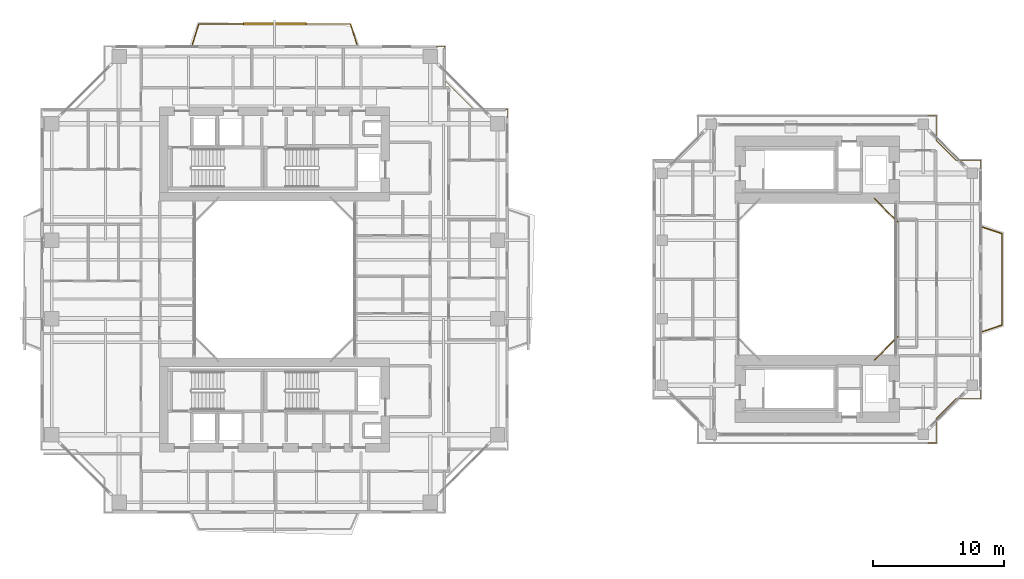
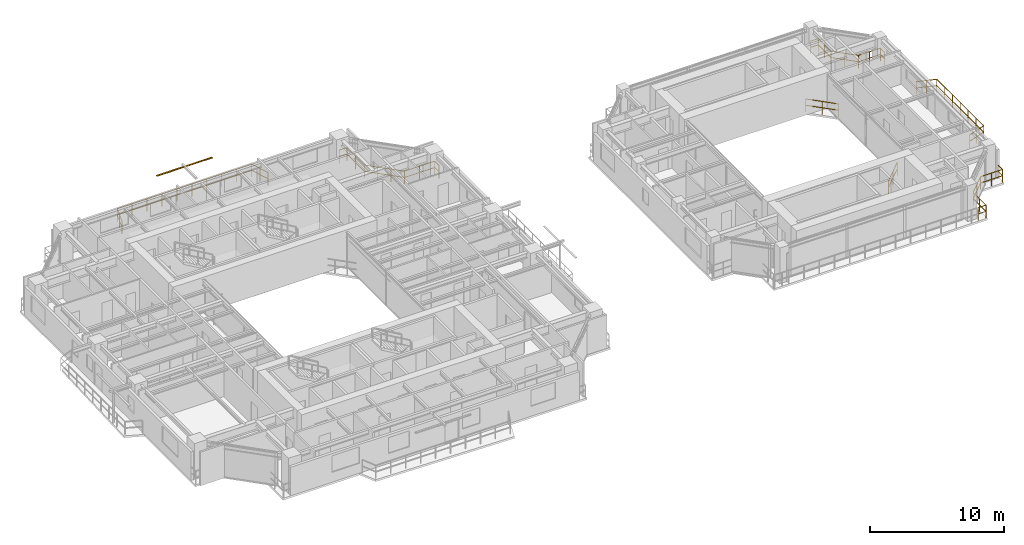
# One storey, part 24 of 24: 7 railings, 1 shading device.
"""IFC4 building model written with IfcOpenShell, lengths in metres."""

from ifc_helpers import new_model, si_unit, direction, frame, origin, origin_2d, place, context, subcontext, project, spatial, rectangle, extrude, source, transform, mapped, material, material_profile, profile_set, type_object, element, save


model = new_model("IFC4")

# Units and contexts
model_context = context("Model", 3, precision=1e-05, world=origin(), true_north=direction((0.0, 1.0)))
body_context = subcontext(model_context, "Body", "Model", "MODEL_VIEW")
ifc_project = project(units=[si_unit("LENGTHUNIT", "METRE"), si_unit("AREAUNIT", "SQUARE_METRE"), si_unit("VOLUMEUNIT", "CUBIC_METRE"), si_unit("PLANEANGLEUNIT", "RADIAN"), si_unit("MASSUNIT", "GRAM", prefix="KILO"), si_unit("THERMODYNAMICTEMPERATUREUNIT", "KELVIN"), si_unit("POWERUNIT", "WATT")], contexts=[model_context])

# Site, building, storey
site_placement = place(None, origin())
site = spatial("IfcSite", under=ifc_project, at=site_placement, CompositionType="ELEMENT")
building_placement = place(site_placement, origin())
building = spatial("IfcBuilding", under=site, at=building_placement, Name="Qiaomeng Ring Towers", CompositionType="ELEMENT")
storey_placement = place(building_placement, frame((0.0, 0.0, 110.0)))
storey = spatial("IfcBuildingStorey", under=building, at=storey_placement, Name="L31", CompositionType="ELEMENT", Elevation=110.0)

# Railings
ifc_material_1 = material(Name="Low-E pale-green laminated safety glass", Category="glass")
railing_type = type_object("IfcRailingType", Name="ARC-RL-BAL1", PredefinedType="BALUSTRADE", material=ifc_material_1)
railing_1_placement = place(storey_placement, frame((36.820068359375, 35.3701171875, 0.0)))
element("IfcRailing", 1, at=railing_1_placement, inside=storey, type_object=railing_type, Name="L31 Balustrade ARC-BAL-NOTCH1-L31-NE", PredefinedType="BALUSTRADE", context=body_context, shape_type="SweptSolid", body=[
    extrude(rectangle(XDim=0.048095703125, YDim=0.048095703125, at=origin_2d()), frame((0.0, 0.0, 1.17578125), z_axis=(0.0, 1.0, 0.0), x_axis=(-1.0, 0.0, 0.0)), (0.0, 0.0, 1.0), 0.64990234375),
    extrude(rectangle(XDim=0.048095703125, YDim=0.048095703125, at=origin_2d()), frame((0.0, 0.0, 0.60009765625), z_axis=(0.0, 1.0, 0.0), x_axis=(-1.0, 0.0, 0.0)), (0.0, 0.0, 1.0), 0.64990234375),
    extrude(rectangle(XDim=0.048095703125, YDim=0.048095703125, at=origin_2d()), frame((0.0, 0.64990234375, 1.17578125), z_axis=(-1.0, 0.0, 0.0), x_axis=(0.0, -1.0, 0.0)), (0.0, 0.0, 1.0), 2.60009765625),
    extrude(rectangle(XDim=0.048095703125, YDim=0.048095703125, at=origin_2d()), frame((0.0, 0.64990234375, 0.60009765625), z_axis=(-1.0, 0.0, 0.0), x_axis=(0.0, -1.0, 0.0)), (0.0, 0.0, 1.0), 2.60009765625),
    extrude(rectangle(XDim=0.048095703125, YDim=0.048095703125, at=origin_2d()), frame((-2.60009765625, 0.64990234375, 1.17578125), z_axis=(-0.707106781187, 0.707106781187, 0.0), x_axis=(-0.707106781187, -0.707106781187, 0.0)), (0.0, 0.0, 1.0), 3.111083984375),
    extrude(rectangle(XDim=0.048095703125, YDim=0.048095703125, at=origin_2d()), frame((-2.60009765625, 0.64990234375, 0.60009765625), z_axis=(-0.707106781187, 0.707106781187, 0.0), x_axis=(-0.707106781187, -0.707106781187, 0.0)), (0.0, 0.0, 1.0), 3.111083984375),
    extrude(rectangle(XDim=0.048095703125, YDim=0.048095703125, at=origin_2d()), frame((-4.800048828125, 2.849853515625, 1.17578125), z_axis=(0.0, 1.0, 0.0), x_axis=(-1.0, 0.0, 0.0)), (0.0, 0.0, 1.0), 2.60009765625),
    extrude(rectangle(XDim=0.048095703125, YDim=0.048095703125, at=origin_2d()), frame((-4.800048828125, 2.849853515625, 0.60009765625), z_axis=(0.0, 1.0, 0.0), x_axis=(-1.0, 0.0, 0.0)), (0.0, 0.0, 1.0), 2.60009765625),
    extrude(rectangle(XDim=0.048095703125, YDim=0.048095703125, at=origin_2d()), frame((-4.800048828125, 5.449951171875, 1.17578125), z_axis=(-1.0, 0.0, 0.0), x_axis=(0.0, -1.0, 0.0)), (0.0, 0.0, 1.0), 0.64990234375),
    extrude(rectangle(XDim=0.048095703125, YDim=0.048095703125, at=origin_2d()), frame((-4.800048828125, 5.449951171875, 0.60009765625), z_axis=(-1.0, 0.0, 0.0), x_axis=(0.0, -1.0, 0.0)), (0.0, 0.0, 1.0), 0.64990234375),
    extrude(rectangle(XDim=0.0419921875, YDim=0.0419921875, at=origin_2d()), origin(), (0.0, 0.0, 1.0), 1.15185546875),
    extrude(rectangle(XDim=0.0419921875, YDim=0.0419921875, at=origin_2d()), frame((0.0, 0.64990234375, 0.0)), (0.0, 0.0, 1.0), 1.15185546875),
    extrude(rectangle(XDim=0.0419921875, YDim=0.0419921875, at=origin_2d()), frame((-1.300048828125, 0.64990234375, 0.0)), (0.0, 0.0, 1.0), 1.15185546875),
    extrude(rectangle(XDim=0.0419921875, YDim=0.0419921875, at=origin_2d()), frame((-2.60009765625, 0.64990234375, 0.0)), (0.0, 0.0, 1.0), 1.15185546875),
    extrude(rectangle(XDim=0.0419921875, YDim=0.0419921875, at=origin_2d()), frame((-3.33349609375, 1.38330078125, 0.0)), (0.0, 0.0, 1.0), 1.15185546875),
    extrude(rectangle(XDim=0.0419921875, YDim=0.0419921875, at=origin_2d()), frame((-4.066650390625, 2.116455078125, 0.0)), (0.0, 0.0, 1.0), 1.15185546875),
    extrude(rectangle(XDim=0.0419921875, YDim=0.0419921875, at=origin_2d()), frame((-4.800048828125, 2.849853515625, 0.0)), (0.0, 0.0, 1.0), 1.15185546875),
    extrude(rectangle(XDim=0.0419921875, YDim=0.0419921875, at=origin_2d()), frame((-4.800048828125, 4.14990234375, 0.0)), (0.0, 0.0, 1.0), 1.15185546875),
    extrude(rectangle(XDim=0.0419921875, YDim=0.0419921875, at=origin_2d()), frame((-4.800048828125, 5.449951171875, 0.0)), (0.0, 0.0, 1.0), 1.15185546875),
    extrude(rectangle(XDim=0.0419921875, YDim=0.0419921875, at=origin_2d()), frame((-5.449951171875, 5.449951171875, 0.0)), (0.0, 0.0, 1.0), 1.15185546875),
])
railing_2_placement = place(storey_placement, frame((12.699951171875, 40.949951171875, 0.0)))
element("IfcRailing", 2, at=railing_2_placement, inside=storey, type_object=railing_type, Name="L31 Balustrade ARC-BAL-L31-T1-N", PredefinedType="BALUSTRADE", context=body_context, shape_type="SweptSolid", body=[
    extrude(rectangle(XDim=0.048095703125, YDim=0.048095703125, at=origin_2d()), frame((0.0, 0.0, 1.17578125), z_axis=(0.299967512283, 0.953949417723, 0.0), x_axis=(-0.953949417723, 0.299967512283, 0.0)), (0.0, 0.0, 1.0), 1.666748046875),
    extrude(rectangle(XDim=0.048095703125, YDim=0.048095703125, at=origin_2d()), frame((0.0, 0.0, 0.60009765625), z_axis=(0.299967512283, 0.953949417723, 0.0), x_axis=(-0.953949417723, 0.299967512283, 0.0)), (0.0, 0.0, 1.0), 1.666748046875),
    extrude(rectangle(XDim=0.048095703125, YDim=0.048095703125, at=origin_2d()), frame((0.5, 1.590087890625, 1.17578125), z_axis=(1.0, 0.0, 0.0), x_axis=(0.0, 1.0, 0.0)), (0.0, 0.0, 1.0), 11.60009765625),
    extrude(rectangle(XDim=0.048095703125, YDim=0.048095703125, at=origin_2d()), frame((0.5, 1.590087890625, 0.60009765625), z_axis=(1.0, 0.0, 0.0), x_axis=(0.0, 1.0, 0.0)), (0.0, 0.0, 1.0), 11.60009765625),
    extrude(rectangle(XDim=0.048095703125, YDim=0.048095703125, at=origin_2d()), frame((12.10009765625, 1.590087890625, 1.17578125), z_axis=(0.299967512283, -0.953949417723, 0.0), x_axis=(0.953949417723, 0.299967512283, 0.0)), (0.0, 0.0, 1.0), 1.666748046875),
    extrude(rectangle(XDim=0.048095703125, YDim=0.048095703125, at=origin_2d()), frame((12.10009765625, 1.590087890625, 0.60009765625), z_axis=(0.299967512283, -0.953949417723, 0.0), x_axis=(0.953949417723, 0.299967512283, 0.0)), (0.0, 0.0, 1.0), 1.666748046875),
    extrude(rectangle(XDim=0.0419921875, YDim=0.0419921875, at=origin_2d()), origin(), (0.0, 0.0, 1.0), 1.15185546875),
    extrude(rectangle(XDim=0.0419921875, YDim=0.0419921875, at=origin_2d()), frame((0.25, 0.794921875, 0.0)), (0.0, 0.0, 1.0), 1.15185546875),
    extrude(rectangle(XDim=0.0419921875, YDim=0.0419921875, at=origin_2d()), frame((0.5, 1.590087890625, 0.0)), (0.0, 0.0, 1.0), 1.15185546875),
    extrude(rectangle(XDim=0.0419921875, YDim=0.0419921875, at=origin_2d()), frame((1.788818359375, 1.590087890625, 0.0)), (0.0, 0.0, 1.0), 1.15185546875),
    extrude(rectangle(XDim=0.0419921875, YDim=0.0419921875, at=origin_2d()), frame((3.077880859375, 1.590087890625, 0.0)), (0.0, 0.0, 1.0), 1.15185546875),
    extrude(rectangle(XDim=0.0419921875, YDim=0.0419921875, at=origin_2d()), frame((4.36669921875, 1.590087890625, 0.0)), (0.0, 0.0, 1.0), 1.15185546875),
    extrude(rectangle(XDim=0.0419921875, YDim=0.0419921875, at=origin_2d()), frame((5.655517578125, 1.590087890625, 0.0)), (0.0, 0.0, 1.0), 1.15185546875),
    extrude(rectangle(XDim=0.0419921875, YDim=0.0419921875, at=origin_2d()), frame((6.944580078125, 1.590087890625, 0.0)), (0.0, 0.0, 1.0), 1.15185546875),
    extrude(rectangle(XDim=0.0419921875, YDim=0.0419921875, at=origin_2d()), frame((8.2333984375, 1.590087890625, 0.0)), (0.0, 0.0, 1.0), 1.15185546875),
    extrude(rectangle(XDim=0.0419921875, YDim=0.0419921875, at=origin_2d()), frame((9.522216796875, 1.590087890625, 0.0)), (0.0, 0.0, 1.0), 1.15185546875),
    extrude(rectangle(XDim=0.0419921875, YDim=0.0419921875, at=origin_2d()), frame((10.811279296875, 1.590087890625, 0.0)), (0.0, 0.0, 1.0), 1.15185546875),
    extrude(rectangle(XDim=0.0419921875, YDim=0.0419921875, at=origin_2d()), frame((12.10009765625, 1.590087890625, 0.0)), (0.0, 0.0, 1.0), 1.15185546875),
    extrude(rectangle(XDim=0.0419921875, YDim=0.0419921875, at=origin_2d()), frame((12.35009765625, 0.794921875, 0.0)), (0.0, 0.0, 1.0), 1.15185546875),
    extrude(rectangle(XDim=0.0419921875, YDim=0.0419921875, at=origin_2d()), frame((12.60009765625, 0.0, 0.0)), (0.0, 0.0, 1.0), 1.15185546875),
])
railing_3_placement = place(storey_placement, frame((64.8798828125, 16.820068359375, 0.0)))
element("IfcRailing", 3, at=railing_3_placement, inside=storey, type_object=railing_type, Name="L31 Balustrade ARC-BAL-WELL2-L31-1", PredefinedType="BALUSTRADE", context=body_context, shape_type="SweptSolid", body=[
    extrude(rectangle(XDim=0.048095703125, YDim=0.048095703125, at=origin_2d()), frame((0.0, 0.0, 1.17578125), z_axis=(0.707106781187, 0.707106781187, 0.0), x_axis=(-0.707106781187, 0.707106781187, 0.0)), (0.0, 0.0, 1.0), 2.545654296875),
    extrude(rectangle(XDim=0.048095703125, YDim=0.048095703125, at=origin_2d()), frame((0.0, 0.0, 0.60009765625), z_axis=(0.707106781187, 0.707106781187, 0.0), x_axis=(-0.707106781187, 0.707106781187, 0.0)), (0.0, 0.0, 1.0), 2.545654296875),
    extrude(rectangle(XDim=0.0419921875, YDim=0.0419921875, at=origin_2d()), origin(), (0.0, 0.0, 1.0), 1.15185546875),
    extrude(rectangle(XDim=0.0419921875, YDim=0.0419921875, at=origin_2d()), frame((0.89990234375, 0.89990234375, 0.0)), (0.0, 0.0, 1.0), 1.15185546875),
    extrude(rectangle(XDim=0.0419921875, YDim=0.0419921875, at=origin_2d()), frame((1.800048828125, 1.800048828125, 0.0)), (0.0, 0.0, 1.0), 1.15185546875),
])
railing_4_placement = place(storey_placement, frame((66.679931640625, 27.3798828125, 0.0)))
element("IfcRailing", 4, at=railing_4_placement, inside=storey, type_object=railing_type, Name="L31 Balustrade ARC-BAL-WELL2-L31-2", PredefinedType="BALUSTRADE", context=body_context, shape_type="SweptSolid", body=[
    extrude(rectangle(XDim=0.048095703125, YDim=0.048095703125, at=origin_2d()), frame((0.0, 0.0, 1.17578125), z_axis=(-0.707106781187, 0.707106781187, 0.0), x_axis=(-0.707106781187, -0.707106781187, 0.0)), (0.0, 0.0, 1.0), 2.545654296875),
    extrude(rectangle(XDim=0.048095703125, YDim=0.048095703125, at=origin_2d()), frame((0.0, 0.0, 0.60009765625), z_axis=(-0.707106781187, 0.707106781187, 0.0), x_axis=(-0.707106781187, -0.707106781187, 0.0)), (0.0, 0.0, 1.0), 2.545654296875),
    extrude(rectangle(XDim=0.0419921875, YDim=0.0419921875, at=origin_2d()), origin(), (0.0, 0.0, 1.0), 1.15185546875),
    extrude(rectangle(XDim=0.0419921875, YDim=0.0419921875, at=origin_2d()), frame((-0.89990234375, 0.89990234375, 0.0)), (0.0, 0.0, 1.0), 1.15185546875),
    extrude(rectangle(XDim=0.0419921875, YDim=0.0419921875, at=origin_2d()), frame((-1.800048828125, 1.800048828125, 0.0)), (0.0, 0.0, 1.0), 1.15185546875),
])
railing_5_placement = place(storey_placement, frame((68.969970703125, 10.47998046875, 0.0)))
element("IfcRailing", 5, at=railing_5_placement, inside=storey, type_object=railing_type, Name="L31 Balustrade ARC-BAL-NOTCH2-L31-SE", PredefinedType="BALUSTRADE", context=body_context, shape_type="SweptSolid", body=[
    extrude(rectangle(XDim=0.048095703125, YDim=0.048095703125, at=origin_2d()), frame((0.0, 0.0, 1.17578125), z_axis=(1.0, 0.0, 0.0), x_axis=(0.0, 1.0, 0.0)), (0.0, 0.0, 1.0), 0.650146484375),
    extrude(rectangle(XDim=0.048095703125, YDim=0.048095703125, at=origin_2d()), frame((0.0, 0.0, 0.60009765625), z_axis=(1.0, 0.0, 0.0), x_axis=(0.0, 1.0, 0.0)), (0.0, 0.0, 1.0), 0.650146484375),
    extrude(rectangle(XDim=0.048095703125, YDim=0.048095703125, at=origin_2d()), frame((0.650146484375, 0.0, 1.17578125), z_axis=(0.0, 1.0, 0.0), x_axis=(-1.0, 0.0, 0.0)), (0.0, 0.0, 1.0), 1.89990234375),
    extrude(rectangle(XDim=0.048095703125, YDim=0.048095703125, at=origin_2d()), frame((0.650146484375, 0.0, 0.60009765625), z_axis=(0.0, 1.0, 0.0), x_axis=(-1.0, 0.0, 0.0)), (0.0, 0.0, 1.0), 1.89990234375),
    extrude(rectangle(XDim=0.048095703125, YDim=0.048095703125, at=origin_2d()), frame((0.650146484375, 1.89990234375, 1.17578125), z_axis=(0.707106781187, 0.707106781187, 0.0), x_axis=(-0.707106781187, 0.707106781187, 0.0)), (0.0, 0.0, 1.0), 2.121337890625),
    extrude(rectangle(XDim=0.048095703125, YDim=0.048095703125, at=origin_2d()), frame((0.650146484375, 1.89990234375, 0.60009765625), z_axis=(0.707106781187, 0.707106781187, 0.0), x_axis=(-0.707106781187, 0.707106781187, 0.0)), (0.0, 0.0, 1.0), 2.121337890625),
    extrude(rectangle(XDim=0.048095703125, YDim=0.048095703125, at=origin_2d()), frame((2.150146484375, 3.39990234375, 1.17578125), z_axis=(1.0, 0.0, 0.0), x_axis=(0.0, 1.0, 0.0)), (0.0, 0.0, 1.0), 1.89990234375),
    extrude(rectangle(XDim=0.048095703125, YDim=0.048095703125, at=origin_2d()), frame((2.150146484375, 3.39990234375, 0.60009765625), z_axis=(1.0, 0.0, 0.0), x_axis=(0.0, 1.0, 0.0)), (0.0, 0.0, 1.0), 1.89990234375),
    extrude(rectangle(XDim=0.048095703125, YDim=0.048095703125, at=origin_2d()), frame((4.050048828125, 3.39990234375, 1.17578125), z_axis=(0.0, 1.0, 0.0), x_axis=(-1.0, 0.0, 0.0)), (0.0, 0.0, 1.0), 0.650146484375),
    extrude(rectangle(XDim=0.048095703125, YDim=0.048095703125, at=origin_2d()), frame((4.050048828125, 3.39990234375, 0.60009765625), z_axis=(0.0, 1.0, 0.0), x_axis=(-1.0, 0.0, 0.0)), (0.0, 0.0, 1.0), 0.650146484375),
    extrude(rectangle(XDim=0.0419921875, YDim=0.0419921875, at=origin_2d()), origin(), (0.0, 0.0, 1.0), 1.15185546875),
    extrude(rectangle(XDim=0.0419921875, YDim=0.0419921875, at=origin_2d()), frame((0.650146484375, 0.0, 0.0)), (0.0, 0.0, 1.0), 1.15185546875),
    extrude(rectangle(XDim=0.0419921875, YDim=0.0419921875, at=origin_2d()), frame((0.650146484375, 0.949951171875, 0.0)), (0.0, 0.0, 1.0), 1.15185546875),
    extrude(rectangle(XDim=0.0419921875, YDim=0.0419921875, at=origin_2d()), frame((0.650146484375, 1.89990234375, 0.0)), (0.0, 0.0, 1.0), 1.15185546875),
    extrude(rectangle(XDim=0.0419921875, YDim=0.0419921875, at=origin_2d()), frame((1.400146484375, 2.64990234375, 0.0)), (0.0, 0.0, 1.0), 1.15185546875),
    extrude(rectangle(XDim=0.0419921875, YDim=0.0419921875, at=origin_2d()), frame((2.150146484375, 3.39990234375, 0.0)), (0.0, 0.0, 1.0), 1.15185546875),
    extrude(rectangle(XDim=0.0419921875, YDim=0.0419921875, at=origin_2d()), frame((3.10009765625, 3.39990234375, 0.0)), (0.0, 0.0, 1.0), 1.15185546875),
    extrude(rectangle(XDim=0.0419921875, YDim=0.0419921875, at=origin_2d()), frame((4.050048828125, 3.39990234375, 0.0)), (0.0, 0.0, 1.0), 1.15185546875),
    extrude(rectangle(XDim=0.0419921875, YDim=0.0419921875, at=origin_2d()), frame((4.050048828125, 4.050048828125, 0.0)), (0.0, 0.0, 1.0), 1.15185546875),
])
railing_6_placement = place(storey_placement, frame((73.02001953125, 31.469970703125, 0.0)))
element("IfcRailing", 6, at=railing_6_placement, inside=storey, type_object=railing_type, Name="L31 Balustrade ARC-BAL-NOTCH2-L31-NE", PredefinedType="BALUSTRADE", context=body_context, shape_type="SweptSolid", body=[
    extrude(rectangle(XDim=0.048095703125, YDim=0.048095703125, at=origin_2d()), frame((0.0, 0.0, 1.17578125), z_axis=(0.0, 1.0, 0.0), x_axis=(-1.0, 0.0, 0.0)), (0.0, 0.0, 1.0), 0.650146484375),
    extrude(rectangle(XDim=0.048095703125, YDim=0.048095703125, at=origin_2d()), frame((0.0, 0.0, 0.60009765625), z_axis=(0.0, 1.0, 0.0), x_axis=(-1.0, 0.0, 0.0)), (0.0, 0.0, 1.0), 0.650146484375),
    extrude(rectangle(XDim=0.048095703125, YDim=0.048095703125, at=origin_2d()), frame((0.0, 0.650146484375, 1.17578125), z_axis=(-1.0, 0.0, 0.0), x_axis=(0.0, -1.0, 0.0)), (0.0, 0.0, 1.0), 1.89990234375),
    extrude(rectangle(XDim=0.048095703125, YDim=0.048095703125, at=origin_2d()), frame((0.0, 0.650146484375, 0.60009765625), z_axis=(-1.0, 0.0, 0.0), x_axis=(0.0, -1.0, 0.0)), (0.0, 0.0, 1.0), 1.89990234375),
    extrude(rectangle(XDim=0.048095703125, YDim=0.048095703125, at=origin_2d()), frame((-1.89990234375, 0.650146484375, 1.17578125), z_axis=(-0.707106781187, 0.707106781187, 0.0), x_axis=(-0.707106781187, -0.707106781187, 0.0)), (0.0, 0.0, 1.0), 2.121337890625),
    extrude(rectangle(XDim=0.048095703125, YDim=0.048095703125, at=origin_2d()), frame((-1.89990234375, 0.650146484375, 0.60009765625), z_axis=(-0.707106781187, 0.707106781187, 0.0), x_axis=(-0.707106781187, -0.707106781187, 0.0)), (0.0, 0.0, 1.0), 2.121337890625),
    extrude(rectangle(XDim=0.048095703125, YDim=0.048095703125, at=origin_2d()), frame((-3.39990234375, 2.150146484375, 1.17578125), z_axis=(0.0, 1.0, 0.0), x_axis=(-1.0, 0.0, 0.0)), (0.0, 0.0, 1.0), 1.89990234375),
    extrude(rectangle(XDim=0.048095703125, YDim=0.048095703125, at=origin_2d()), frame((-3.39990234375, 2.150146484375, 0.60009765625), z_axis=(0.0, 1.0, 0.0), x_axis=(-1.0, 0.0, 0.0)), (0.0, 0.0, 1.0), 1.89990234375),
    extrude(rectangle(XDim=0.048095703125, YDim=0.048095703125, at=origin_2d()), frame((-3.39990234375, 4.050048828125, 1.17578125), z_axis=(-1.0, 0.0, 0.0), x_axis=(0.0, -1.0, 0.0)), (0.0, 0.0, 1.0), 0.650146484375),
    extrude(rectangle(XDim=0.048095703125, YDim=0.048095703125, at=origin_2d()), frame((-3.39990234375, 4.050048828125, 0.60009765625), z_axis=(-1.0, 0.0, 0.0), x_axis=(0.0, -1.0, 0.0)), (0.0, 0.0, 1.0), 0.650146484375),
    extrude(rectangle(XDim=0.0419921875, YDim=0.0419921875, at=origin_2d()), origin(), (0.0, 0.0, 1.0), 1.15185546875),
    extrude(rectangle(XDim=0.0419921875, YDim=0.0419921875, at=origin_2d()), frame((0.0, 0.650146484375, 0.0)), (0.0, 0.0, 1.0), 1.15185546875),
    extrude(rectangle(XDim=0.0419921875, YDim=0.0419921875, at=origin_2d()), frame((-0.949951171875, 0.650146484375, 0.0)), (0.0, 0.0, 1.0), 1.15185546875),
    extrude(rectangle(XDim=0.0419921875, YDim=0.0419921875, at=origin_2d()), frame((-1.89990234375, 0.650146484375, 0.0)), (0.0, 0.0, 1.0), 1.15185546875),
    extrude(rectangle(XDim=0.0419921875, YDim=0.0419921875, at=origin_2d()), frame((-2.64990234375, 1.400146484375, 0.0)), (0.0, 0.0, 1.0), 1.15185546875),
    extrude(rectangle(XDim=0.0419921875, YDim=0.0419921875, at=origin_2d()), frame((-3.39990234375, 2.150146484375, 0.0)), (0.0, 0.0, 1.0), 1.15185546875),
    extrude(rectangle(XDim=0.0419921875, YDim=0.0419921875, at=origin_2d()), frame((-3.39990234375, 3.10009765625, 0.0)), (0.0, 0.0, 1.0), 1.15185546875),
    extrude(rectangle(XDim=0.0419921875, YDim=0.0419921875, at=origin_2d()), frame((-3.39990234375, 4.050048828125, 0.0)), (0.0, 0.0, 1.0), 1.15185546875),
    extrude(rectangle(XDim=0.0419921875, YDim=0.0419921875, at=origin_2d()), frame((-4.050048828125, 4.050048828125, 0.0)), (0.0, 0.0, 1.0), 1.15185546875),
])
railing_7_placement = place(storey_placement, frame((73.14990234375, 19.0, 0.0)))
element("IfcRailing", 7, at=railing_7_placement, inside=storey, type_object=railing_type, Name="L31 Balustrade ARC-BAL-L31-T2-E", PredefinedType="BALUSTRADE", context=body_context, shape_type="SweptSolid", body=[
    extrude(rectangle(XDim=0.048095703125, YDim=0.048095703125, at=origin_2d()), frame((0.0, 0.0, 1.17578125), z_axis=(0.948044476945, 0.318137815629, 0.0), x_axis=(-0.318137815629, 0.948044476945, 0.0)), (0.0, 0.0, 1.0), 1.571533203125),
    extrude(rectangle(XDim=0.048095703125, YDim=0.048095703125, at=origin_2d()), frame((0.0, 0.0, 0.60009765625), z_axis=(0.948044476945, 0.318137815629, 0.0), x_axis=(-0.318137815629, 0.948044476945, 0.0)), (0.0, 0.0, 1.0), 1.571533203125),
    extrude(rectangle(XDim=0.048095703125, YDim=0.048095703125, at=origin_2d()), frame((1.489990234375, 0.5, 1.17578125), z_axis=(0.0, 1.0, 0.0), x_axis=(-1.0, 0.0, 0.0)), (0.0, 0.0, 1.0), 7.0),
    extrude(rectangle(XDim=0.048095703125, YDim=0.048095703125, at=origin_2d()), frame((1.489990234375, 0.5, 0.60009765625), z_axis=(0.0, 1.0, 0.0), x_axis=(-1.0, 0.0, 0.0)), (0.0, 0.0, 1.0), 7.0),
    extrude(rectangle(XDim=0.048095703125, YDim=0.048095703125, at=origin_2d()), frame((1.489990234375, 7.5, 1.17578125), z_axis=(-0.948044476945, 0.318137815629, 0.0), x_axis=(-0.318137815629, -0.948044476945, 0.0)), (0.0, 0.0, 1.0), 1.571533203125),
    extrude(rectangle(XDim=0.048095703125, YDim=0.048095703125, at=origin_2d()), frame((1.489990234375, 7.5, 0.60009765625), z_axis=(-0.948044476945, 0.318137815629, 0.0), x_axis=(-0.318137815629, -0.948044476945, 0.0)), (0.0, 0.0, 1.0), 1.571533203125),
    extrude(rectangle(XDim=0.0419921875, YDim=0.0419921875, at=origin_2d()), origin(), (0.0, 0.0, 1.0), 1.15185546875),
    extrude(rectangle(XDim=0.0419921875, YDim=0.0419921875, at=origin_2d()), frame((0.7451171875, 0.25, 0.0)), (0.0, 0.0, 1.0), 1.15185546875),
    extrude(rectangle(XDim=0.0419921875, YDim=0.0419921875, at=origin_2d()), frame((1.489990234375, 0.5, 0.0)), (0.0, 0.0, 1.0), 1.15185546875),
    extrude(rectangle(XDim=0.0419921875, YDim=0.0419921875, at=origin_2d()), frame((1.489990234375, 1.666748046875, 0.0)), (0.0, 0.0, 1.0), 1.15185546875),
    extrude(rectangle(XDim=0.0419921875, YDim=0.0419921875, at=origin_2d()), frame((1.489990234375, 2.833251953125, 0.0)), (0.0, 0.0, 1.0), 1.15185546875),
    extrude(rectangle(XDim=0.0419921875, YDim=0.0419921875, at=origin_2d()), frame((1.489990234375, 4.0, 0.0)), (0.0, 0.0, 1.0), 1.15185546875),
    extrude(rectangle(XDim=0.0419921875, YDim=0.0419921875, at=origin_2d()), frame((1.489990234375, 5.166748046875, 0.0)), (0.0, 0.0, 1.0), 1.15185546875),
    extrude(rectangle(XDim=0.0419921875, YDim=0.0419921875, at=origin_2d()), frame((1.489990234375, 6.333251953125, 0.0)), (0.0, 0.0, 1.0), 1.15185546875),
    extrude(rectangle(XDim=0.0419921875, YDim=0.0419921875, at=origin_2d()), frame((1.489990234375, 7.5, 0.0)), (0.0, 0.0, 1.0), 1.15185546875),
    extrude(rectangle(XDim=0.0419921875, YDim=0.0419921875, at=origin_2d()), frame((0.7451171875, 7.75, 0.0)), (0.0, 0.0, 1.0), 1.15185546875),
    extrude(rectangle(XDim=0.0419921875, YDim=0.0419921875, at=origin_2d()), frame((0.0, 8.0, 0.0)), (0.0, 0.0, 1.0), 1.15185546875),
])

# Shading device
ifc_material_2 = material(Name="Fluorocarbon dark-grey aluminium", Category="aluminium")
ifc_material_profile = material_profile(ifc_material_2, rectangle(XDim=0.14990234375, YDim=0.034912109375, at=origin_2d()), Name="LV BLADE 150x35")
ifc_profile_set = profile_set([ifc_material_profile], Name="Fluorocarbon dark-grey aluminium")
shading_device_type = type_object("IfcShadingDeviceType", Name="ARC-SHD-SUN", PredefinedType="AWNING", material=ifc_profile_set)
shared_shape = source(origin(), body_context, "Body", "SweptSolid", [
    extrude(rectangle(XDim=0.14990234375, YDim=0.034912109375, at=origin_2d()), origin(), (0.0, 0.0, 1.0), 4.7998046875),
])
shading_device_placement = place(storey_placement, frame((16.60009765625, 42.5400390625, 2.969970703125), z_axis=(1.0, 0.0, 0.0), x_axis=(0.0, 1.0, 0.0)))
element("IfcShadingDevice", 8, at=shading_device_placement, inside=storey, type_object=shading_device_type, Name="L31 Ventilated Outer-Skin Sunshade N", PredefinedType="AWNING", context=body_context, shape_type="MappedRepresentation", body=[
    mapped(shared_shape, transform((0.0, 0.0, 0.0), x_axis=(1.0, 0.0, 0.0), y_axis=(0.0, 1.0, 0.0), z_axis=(0.0, 0.0, 1.0), scale=1.0)),
])

save(model, "model.ifc")
